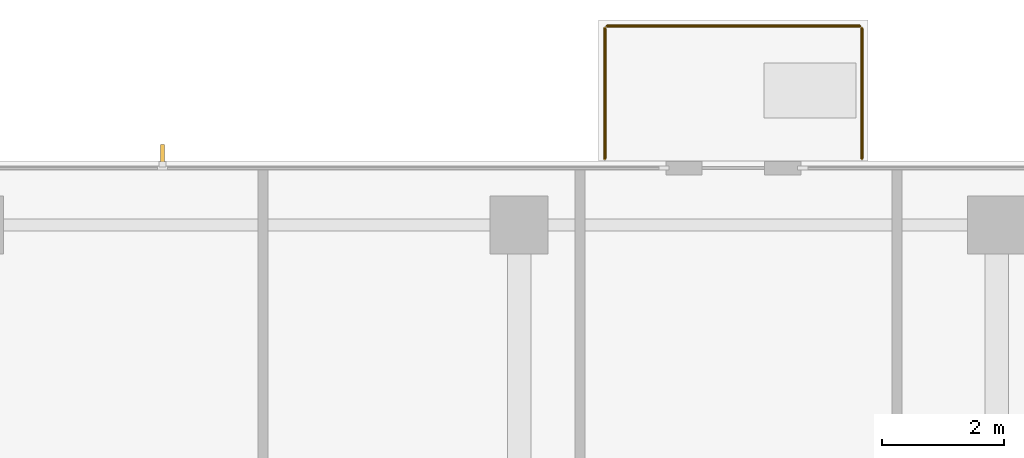
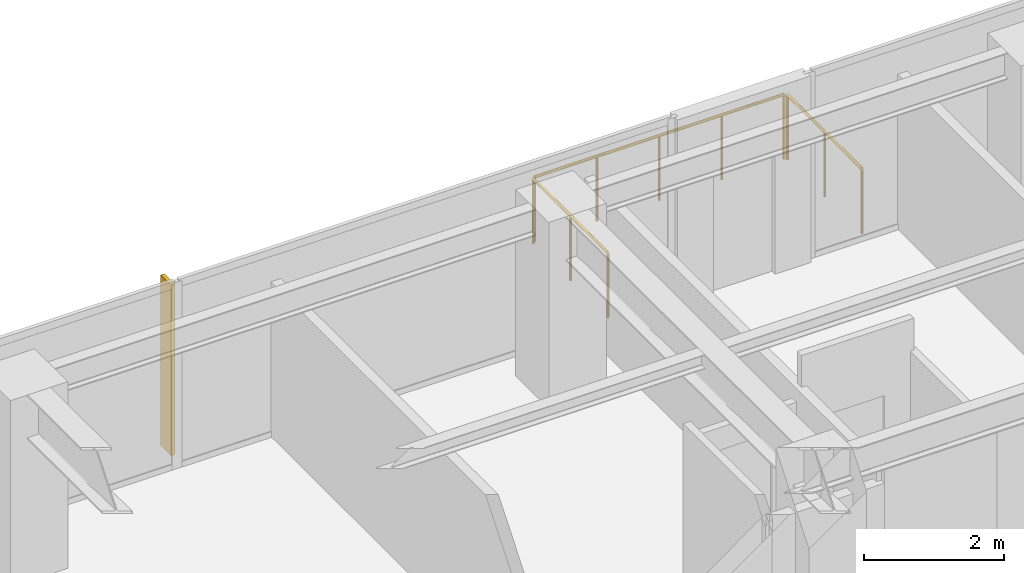
# One storey, part 15 of 15: 3 railings, 1 shading device.
"""IFC4 building model written with IfcOpenShell, lengths in metres."""

from ifc_helpers import new_model, si_unit, direction, frame, origin, origin_2d, place, context, subcontext, project, spatial, polyline, circle, outline, extrude, material, layer, layer_set, type_object, element, save


model = new_model("IFC4")

# Units and contexts
model_context = context("Model", 3, precision=1e-05, world=origin(), true_north=direction((0.0, 1.0)))
body_context = subcontext(model_context, "Body", "Model", "MODEL_VIEW")
ifc_project = project(units=[si_unit("LENGTHUNIT", "METRE"), si_unit("AREAUNIT", "SQUARE_METRE"), si_unit("VOLUMEUNIT", "CUBIC_METRE"), si_unit("PLANEANGLEUNIT", "RADIAN"), si_unit("MASSUNIT", "GRAM", prefix="KILO")], contexts=[model_context])

# Site, building, storey
site_placement = place(None, origin())
site = spatial("IfcSite", under=ifc_project, at=site_placement, CompositionType="ELEMENT")
building_placement = place(site_placement, origin())
building = spatial("IfcBuilding", under=site, at=building_placement, Name="Qalmaran Belvedere Hotel", CompositionType="ELEMENT")
storey_placement = place(building_placement, frame((0.0, 0.0, 196.89990234375)))
storey = spatial("IfcBuildingStorey", under=building, at=storey_placement, Name="L49", CompositionType="ELEMENT", Elevation=196.89990234375)

# Shading device
ifc_material = material(Name="Anodised Bronze Aluminium", Category="aluminium")
ifc_layer = layer(ifc_material, 0.06494140625, Name="Anodised Bronze Aluminium")
ifc_layer_set = layer_set([ifc_layer], Name="Anodised Bronze Aluminium")
shading_device_type = type_object("IfcShadingDeviceType", Name="FIN-BRNZ-300", PredefinedType="USERDEFINED", material=ifc_layer_set)
shading_device_placement = place(storey_placement, frame((0.0, 0.0, 0.16015625)))
element("IfcShadingDevice", 1, at=shading_device_placement, inside=storey, type_object=shading_device_type, Name="L49 Bronze Fin 1", ObjectType="FIN", PredefinedType="USERDEFINED", context=body_context, shape_type="SweptSolid", body=[
    extrude(outline(polyline([(23.407470703125, 41.467529296875), (23.407470703125, 41.767578125), (23.342529296875, 41.767578125), (23.342529296875, 41.467529296875), (23.407470703125, 41.467529296875)])), origin(), (0.0, 0.0, 1.0), 2.97998046875),
])

# Railings
railing_type = type_object("IfcRailingType", Name="GRD-BAL-1150", PredefinedType="BALUSTRADE", material=ifc_material)
railing_1_placement = place(storey_placement, frame((30.60009765625, 41.534912109375, 0.0)))
element("IfcRailing", 2, at=railing_1_placement, inside=storey, type_object=railing_type, Name="L49 Guardrail BAL-L49-N-1", PredefinedType="BALUSTRADE", context=body_context, shape_type="SweptSolid", body=[
    extrude(circle(Radius=0.02392578125, at=origin_2d()), frame((0.0, 0.0, 1.1259765625), z_axis=(0.0, 1.0, 0.0), x_axis=(-1.0, 0.0, 0.0)), (0.0, 0.0, 1.0), 2.130126953125),
    extrude(circle(Radius=0.02099609375, at=origin_2d()), origin(), (0.0, 0.0, 1.0), 1.101806640625),
    extrude(circle(Radius=0.02099609375, at=origin_2d()), frame((0.0, 1.06494140625, 0.0)), (0.0, 0.0, 1.0), 1.101806640625),
    extrude(circle(Radius=0.02099609375, at=origin_2d()), frame((0.0, 2.130126953125, 0.0)), (0.0, 0.0, 1.0), 1.101806640625),
])
railing_2_placement = place(storey_placement, frame((30.635009765625, 43.699951171875, 0.0)))
element("IfcRailing", 3, at=railing_2_placement, inside=storey, type_object=railing_type, Name="L49 Guardrail BAL-L49-N-2", PredefinedType="BALUSTRADE", context=body_context, shape_type="SweptSolid", body=[
    extrude(circle(Radius=0.02392578125, at=origin_2d()), frame((0.0, 0.0, 1.1259765625), z_axis=(1.0, 0.0, 0.0), x_axis=(0.0, 1.0, 0.0)), (0.0, 0.0, 1.0), 4.1298828125),
    extrude(circle(Radius=0.02099609375, at=origin_2d()), origin(), (0.0, 0.0, 1.0), 1.101806640625),
    extrude(circle(Radius=0.02099609375, at=origin_2d()), frame((1.032470703125, 0.0, 0.0)), (0.0, 0.0, 1.0), 1.101806640625),
    extrude(circle(Radius=0.02099609375, at=origin_2d()), frame((2.06494140625, 0.0, 0.0)), (0.0, 0.0, 1.0), 1.101806640625),
    extrude(circle(Radius=0.02099609375, at=origin_2d()), frame((3.097412109375, 0.0, 0.0)), (0.0, 0.0, 1.0), 1.101806640625),
    extrude(circle(Radius=0.02099609375, at=origin_2d()), frame((4.1298828125, 0.0, 0.0)), (0.0, 0.0, 1.0), 1.101806640625),
])
railing_3_placement = place(storey_placement, frame((34.800048828125, 43.6650390625, 0.0)))
element("IfcRailing", 4, at=railing_3_placement, inside=storey, type_object=railing_type, Name="L49 Guardrail BAL-L49-N-3", PredefinedType="BALUSTRADE", context=body_context, shape_type="SweptSolid", body=[
    extrude(circle(Radius=0.02392578125, at=origin_2d()), frame((0.0, 0.0, 1.1259765625), z_axis=(0.0, -1.0, 0.0), x_axis=(1.0, 0.0, 0.0)), (0.0, 0.0, 1.0), 2.130126953125),
    extrude(circle(Radius=0.02099609375, at=origin_2d()), origin(), (0.0, 0.0, 1.0), 1.101806640625),
    extrude(circle(Radius=0.02099609375, at=origin_2d()), frame((0.0, -1.06494140625, 0.0)), (0.0, 0.0, 1.0), 1.101806640625),
    extrude(circle(Radius=0.02099609375, at=origin_2d()), frame((0.0, -2.130126953125, 0.0)), (0.0, 0.0, 1.0), 1.101806640625),
])

save(model, "model.ifc")
